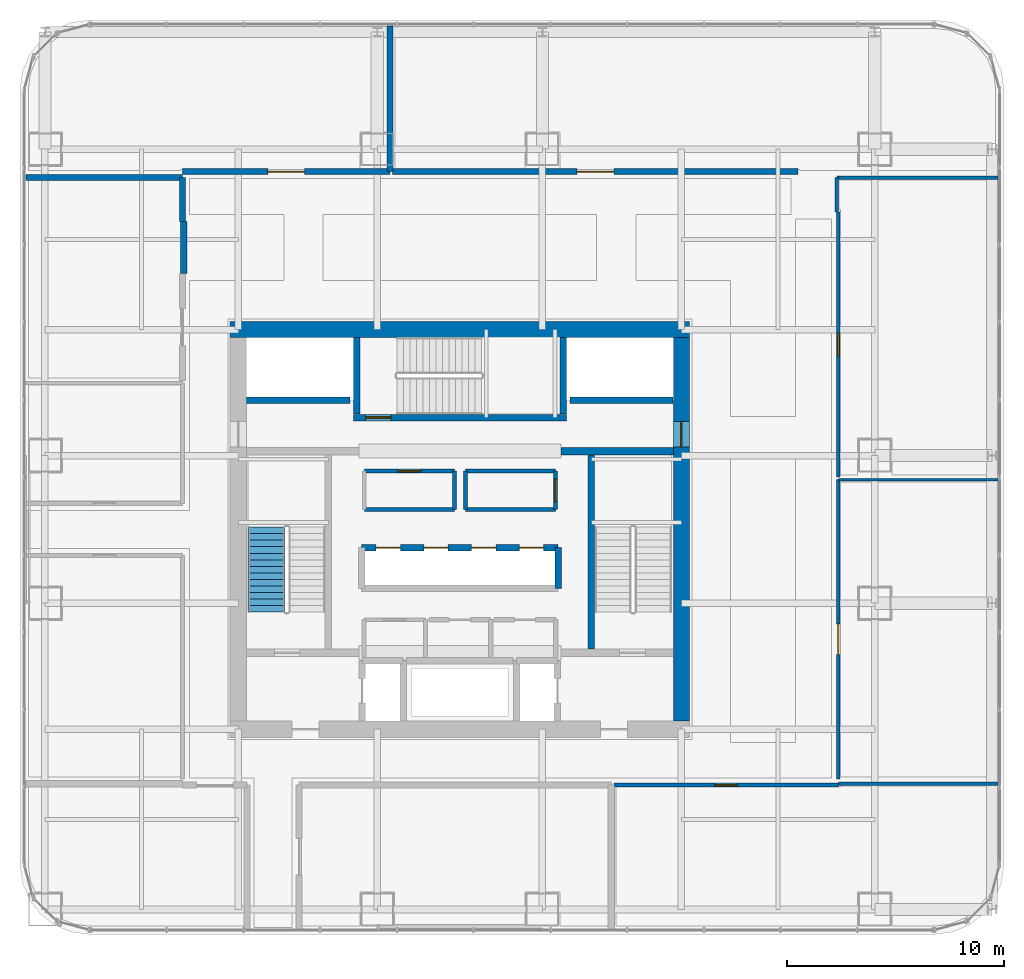
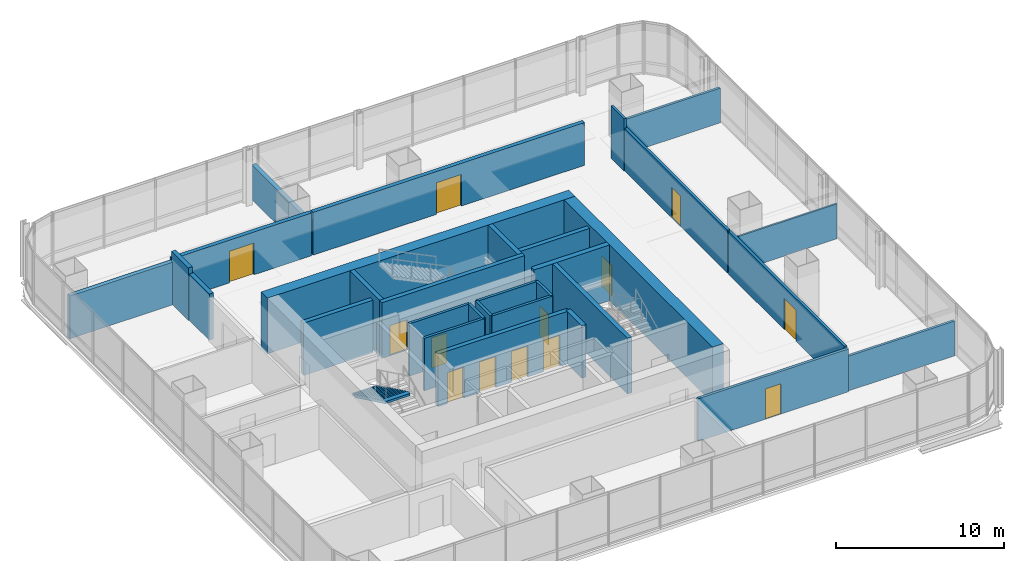
# One storey, part 28 of 34: 31 walls, 13 doors, 1 stair flight, 13 openings, 1 element without a shape of its own.
"""IFC4 building model written with IfcOpenShell, lengths in metres."""

from ifc_helpers import new_model, si_unit, direction, frame, frame_2d, origin, place, context, subcontext, project, spatial, polyline, rectangle, outline, extrude, material, layer, layer_set, type_object, element, fill, aggregate, save


model = new_model("IFC4")

# Units and contexts
model_context = context("Model", 3, precision=1e-05, world=origin(), true_north=direction((0.0, 1.0)))
body_context = subcontext(model_context, "Body", "Model", "MODEL_VIEW")
ifc_project = project(units=[si_unit("LENGTHUNIT", "METRE"), si_unit("AREAUNIT", "SQUARE_METRE"), si_unit("VOLUMEUNIT", "CUBIC_METRE"), si_unit("PLANEANGLEUNIT", "RADIAN"), si_unit("MASSUNIT", "GRAM", prefix="KILO")], contexts=[model_context])

# Site, building, storey
site_placement = place(None, origin())
site = spatial("IfcSite", under=ifc_project, at=site_placement, CompositionType="ELEMENT")
building_placement = place(site_placement, origin())
building = spatial("IfcBuilding", under=site, at=building_placement, Name="Punatoya Terracotta Tower", CompositionType="ELEMENT")
storey_placement = place(building_placement, frame((0.0, 0.0, 97.050048828125)))
storey = spatial("IfcBuildingStorey", under=building, at=storey_placement, Name="L22", CompositionType="ELEMENT", Elevation=97.050048828125)

# Walls
ifc_material_1 = material(Name="Concrete C40/50", Category="concrete")
ifc_layer_1 = layer(ifc_material_1, 0.280029296875)
ifc_layer_set_1 = layer_set([ifc_layer_1], Name="Concrete C40/50")
wall_type_1 = type_object("IfcWallType", Name="WL-AUD-280", PredefinedType="SOLIDWALL", material=ifc_layer_set_1)
wall_1_placement = place(storey_placement, frame((-12.7099609375, 14.179931640625, 0.0), z_axis=(0.0, 0.0, 1.0), x_axis=(0.0, -1.0, 0.0)))
element("IfcWall", 1, at=wall_1_placement, inside=storey, type_object=wall_type_1, Name="L22 Waterfront Club Lounge Partition 34", PredefinedType="SOLIDWALL", context=body_context, shape_type="SweptSolid", body=[
    extrude(rectangle(XDim=2.409912109375, YDim=0.280029296875, at=frame_2d((1.205078125, 0.0))), origin(), (0.0, 0.0, 1.0), 3.35400390625),
])
wall_2_placement = place(storey_placement, frame((-19.969970703125, 16.18994140625, 0.0), z_axis=(0.0, 0.0, 1.0), x_axis=(1.0, 0.0, 0.0)))
element("IfcWall", 2, at=wall_2_placement, inside=storey, type_object=wall_type_1, Name="L22 Waterfront Club Lounge Partition 36", PredefinedType="SOLIDWALL", context=body_context, shape_type="SweptSolid", body=[
    extrude(rectangle(XDim=7.199951171875, YDim=0.280029296875, at=frame_2d((3.60009765625, 0.0))), origin(), (0.0, 0.0, 1.0), 3.10400390625),
])
wall_3_placement = place(storey_placement, frame((-12.77001953125, 16.18994140625, 0.0), z_axis=(0.0, 0.0, 1.0), x_axis=(0.0, -1.0, 0.0)))
element("IfcWall", 3, at=wall_3_placement, inside=storey, type_object=wall_type_1, Name="L22 Waterfront Club Lounge Partition 37", PredefinedType="SOLIDWALL", context=body_context, shape_type="SweptSolid", body=[
    extrude(rectangle(XDim=2.010009765625, YDim=0.280029296875, at=frame_2d((1.0048828125, 0.0))), origin(), (0.0, 0.0, 1.0), 3.81005859375),
])
wall_4_placement = place(storey_placement, frame((-3.216064453125, 23.169921875, 0.0), z_axis=(0.0, 0.0, 1.0), x_axis=(0.0, -1.0, 0.0)))
element("IfcWall", 4, at=wall_4_placement, inside=storey, type_object=wall_type_1, Name="L22 Open-Plan Terrace Refreshment Lounge Partition 38", PredefinedType="SOLIDWALL", context=body_context, shape_type="SweptSolid", body=[
    extrude(rectangle(XDim=6.699951171875, YDim=0.280029296875, at=frame_2d((3.35009765625, 0.0))), origin(), (0.0, 0.0, 1.0), 2.52392578125),
])

# Wall, opening, door
wall_5_placement = place(storey_placement, frame((-3.216064453125, 16.469970703125, 0.0), z_axis=(0.0, 0.0, 1.0), x_axis=(-1.0, 0.0, 0.0)))
wall_5 = element("IfcWall", 5, at=wall_5_placement, inside=storey, type_object=wall_type_1, Name="L22 Open-Plan Terrace Refreshment Lounge Partition 39", PredefinedType="SOLIDWALL", context=body_context, shape_type="SweptSolid", body=[
    extrude(rectangle(XDim=9.553955078125, YDim=0.280029296875, at=frame_2d((4.77685546875, 0.0))), origin(), (0.0, 0.0, 1.0), 3.10400390625),
])
opening_1_placement = place(wall_5_placement, frame((3.927001953125, 0.0, 0.0)))
opening_1 = element("IfcOpeningElement", 6, at=opening_1_placement, cuts=wall_5, Name="Opening FD-D1", PredefinedType="OPENING", context=body_context, shape_type="SweptSolid", body=[
    extrude(rectangle(XDim=1.699951171875, YDim=2.300048828125, at=frame_2d((0.85009765625, 1.14990234375))), frame((0.0, 0.14990234375, 0.0), z_axis=(0.0, -1.0, 0.0), x_axis=(1.0, 0.0, 0.0)), (0.0, 0.0, 1.0), 0.300048828125),
])
ifc_material_2 = material(Name="Timber Teak Veneer Fire Leaf", Category="wood")
door_type_1 = type_object("IfcDoorType", Name="DR-DIN-1700", OperationType="NOTDEFINED", PredefinedType="DOOR", material=ifc_material_2)
door_1_placement = place(opening_1_placement, origin())
door_1 = element("IfcDoor", 7, at=door_1_placement, inside=storey, type_object=door_type_1, Name="L22 Open-Plan Terrace Refreshment Lounge Fire Door", OperationType="DOUBLE_DOOR_SINGLE_SWING", OverallHeight=2.300048828125, OverallWidth=1.699951171875, PredefinedType="DOOR", context=body_context, shape_type="SweptSolid", body=[
    extrude(rectangle(XDim=1.699951171875, YDim=2.300048828125, at=frame_2d((0.85009765625, 1.14990234375))), frame((0.0, 0.02490234375, 0.0), z_axis=(0.0, -1.0, 0.0), x_axis=(1.0, 0.0, 0.0)), (0.0, 0.0, 1.0), 0.050048828125),
])
fill(opening_1, door_1)

wall_6_placement = place(storey_placement, frame((15.570068359375, 16.469970703125, 0.0), z_axis=(0.0, 0.0, 1.0), x_axis=(-1.0, 0.0, 0.0)))
wall_6 = element("IfcWall", 8, at=wall_6_placement, inside=storey, type_object=wall_type_1, Name="L22 Hospitality Hosting Lounge Partition 40", PredefinedType="SOLIDWALL", context=body_context, shape_type="SweptSolid", body=[
    extrude(rectangle(XDim=18.666015625, YDim=0.280029296875, at=frame_2d((9.3330078125, 0.0))), origin(), (0.0, 0.0, 1.0), 3.10400390625),
])
opening_2_placement = place(wall_6_placement, frame((8.48291015625, 0.0, 0.0)))
opening_2 = element("IfcOpeningElement", 9, at=opening_2_placement, cuts=wall_6, Name="Opening FD-D1", PredefinedType="OPENING", context=body_context, shape_type="SweptSolid", body=[
    extrude(rectangle(XDim=1.699951171875, YDim=2.300048828125, at=frame_2d((0.85009765625, 1.14990234375))), frame((0.0, 0.14990234375, 0.0), z_axis=(0.0, -1.0, 0.0), x_axis=(1.0, 0.0, 0.0)), (0.0, 0.0, 1.0), 0.300048828125),
])
door_2_placement = place(opening_2_placement, origin())
door_2 = element("IfcDoor", 10, at=door_2_placement, inside=storey, type_object=door_type_1, Name="L22 Hospitality Hosting Lounge Fire Door", OperationType="DOUBLE_DOOR_SINGLE_SWING", OverallHeight=2.300048828125, OverallWidth=1.699951171875, PredefinedType="DOOR", context=body_context, shape_type="SweptSolid", body=[
    extrude(rectangle(XDim=1.699951171875, YDim=2.300048828125, at=frame_2d((0.85009765625, 1.14990234375))), frame((0.0, 0.02490234375, 0.0), z_axis=(0.0, -1.0, 0.0), x_axis=(1.0, 0.0, 0.0)), (0.0, 0.0, 1.0), 0.050048828125),
])
fill(opening_2, door_2)

# Wall
ifc_material_3 = material(Name="Concrete C60/75", Category="concrete")
ifc_layer_2 = layer(ifc_material_3, 0.75)
ifc_layer_set_2 = layer_set([ifc_layer_2], Name="Concrete C60/75")
wall_type_2 = type_object("IfcWallType", Name="WL-COR-750", PredefinedType="SHEAR", material=ifc_layer_set_2)
wall_7_placement = place(storey_placement, frame((-10.574951171875, 9.199951171875, 0.0), z_axis=(0.0, 0.0, 1.0), x_axis=(1.0, 0.0, 0.0)))
element("IfcWall", 11, at=wall_7_placement, inside=storey, type_object=wall_type_2, Name="L22 Core Shear Wall N", PredefinedType="SHEAR", context=body_context, shape_type="SweptSolid", body=[
    extrude(rectangle(XDim=21.14990234375, YDim=0.75, at=frame_2d((10.574951171875, 0.0))), origin(), (0.0, 0.0, 1.0), 4.050048828125),
])

# Wall, opening, door
wall_8_placement = place(storey_placement, frame((10.199951171875, 8.824951171875, 0.0), z_axis=(0.0, 0.0, 1.0), x_axis=(0.0, -1.0, 0.0)))
wall_8 = element("IfcWall", 12, at=wall_8_placement, inside=storey, type_object=wall_type_2, Name="L22 Core Shear Wall E", PredefinedType="SHEAR", context=body_context, shape_type="SweptSolid", body=[
    extrude(rectangle(XDim=17.64990234375, YDim=0.75, at=frame_2d((8.824951171875, 0.0))), origin(), (0.0, 0.0, 1.0), 4.050048828125),
])
opening_3_placement = place(wall_8_placement, frame((3.85498046875, 0.0, 0.0)))
opening_3 = element("IfcOpeningElement", 13, at=opening_3_placement, cuts=wall_8, Name="Opening SD-01", PredefinedType="OPENING", context=body_context, shape_type="SweptSolid", body=[
    extrude(rectangle(XDim=1.179931640625, YDim=2.199951171875, at=frame_2d((0.58984375, 1.10009765625))), frame((0.0, 0.385009765625, 0.0), z_axis=(0.0, -1.0, 0.0), x_axis=(1.0, 0.0, 0.0)), (0.0, 0.0, 1.0), 0.77001953125),
])
ifc_material_4 = material(Name="Galvanised Steel Pressurized Stair Fire Door", Category="steel")
door_type_2 = type_object("IfcDoorType", Name="DR-STR-1180", OperationType="NOTDEFINED", PredefinedType="DOOR", material=ifc_material_4)
door_3_placement = place(opening_3_placement, origin())
door_3 = element("IfcDoor", 14, at=door_3_placement, inside=storey, type_object=door_type_2, Name="L22 Central Lift Lobby East Fire Door", OperationType="SINGLE_SWING_RIGHT", OverallHeight=2.199951171875, OverallWidth=1.179931640625, PredefinedType="DOOR", context=body_context, shape_type="SweptSolid", body=[
    extrude(rectangle(XDim=1.179931640625, YDim=2.199951171875, at=frame_2d((0.58984375, 1.10009765625))), frame((0.0, 0.02490234375, 0.0), z_axis=(0.0, -1.0, 0.0), x_axis=(1.0, 0.0, 0.0)), (0.0, 0.0, 1.0), 0.050048828125),
])
fill(opening_3, door_3)

# Wall
ifc_material_5 = material(Name="Gypsum Fireboard + Steel Stud", Category="steel")
ifc_layer_3 = layer(ifc_material_5, 0.179931640625)
ifc_layer_set_3 = layer_set([ifc_layer_3], Name="Gypsum Fireboard + Steel Stud")
wall_type_3 = type_object("IfcWallType", Name="WL-CORR-180", PredefinedType="PARTITIONING", material=ifc_layer_set_3)
wall_9_placement = place(storey_placement, frame((-0.25, 0.919921875, 0.0), z_axis=(0.0, 0.0, 1.0), x_axis=(0.0, 1.0, 0.0)))
element("IfcWall", 15, at=wall_9_placement, inside=storey, type_object=wall_type_3, Name="L22 West Core Focus Pod Partition 08", PredefinedType="PARTITIONING", context=body_context, shape_type="SweptSolid", body=[
    extrude(rectangle(XDim=1.760009765625, YDim=0.179931640625, at=frame_2d((0.8798828125, 0.0))), origin(), (0.0, 0.0, 1.0), 3.81005859375),
])

# Wall, opening, door
wall_10_placement = place(storey_placement, frame((-0.25, 2.679931640625, 0.0), z_axis=(0.0, 0.0, 1.0), x_axis=(-1.0, 0.0, 0.0)))
wall_10 = element("IfcWall", 16, at=wall_10_placement, inside=storey, type_object=wall_type_3, Name="L22 West Core Focus Pod Partition 09", PredefinedType="PARTITIONING", context=body_context, shape_type="SweptSolid", body=[
    extrude(rectangle(XDim=4.14990234375, YDim=0.179931640625, at=frame_2d((2.074951171875, 0.0))), origin(), (0.0, 0.0, 1.0), 3.81005859375),
])
opening_4_placement = place(wall_10_placement, frame((1.550048828125, 0.0, 0.0)))
opening_4 = element("IfcOpeningElement", 17, at=opening_4_placement, cuts=wall_10, Name="Opening OD-01", PredefinedType="OPENING", context=body_context, shape_type="SweptSolid", body=[
    extrude(rectangle(XDim=1.050048828125, YDim=2.199951171875, at=frame_2d((0.52490234375, 1.10009765625))), frame((0.0, 0.099853515625, 0.0), z_axis=(0.0, -1.0, 0.0), x_axis=(1.0, 0.0, 0.0)), (0.0, 0.0, 1.0), 0.199951171875),
])
ifc_material_6 = material(Name="Bengal Teak Solid-Core Leaf")
door_type_3 = type_object("IfcDoorType", Name="DR-OFF-1050", OperationType="NOTDEFINED", PredefinedType="DOOR", material=ifc_material_6)
door_4_placement = place(opening_4_placement, origin())
door_4 = element("IfcDoor", 18, at=door_4_placement, inside=storey, type_object=door_type_3, Name="L22 West Focus Pod Door", OperationType="SINGLE_SWING_LEFT", OverallHeight=2.199951171875, OverallWidth=1.050048828125, PredefinedType="DOOR", context=body_context, shape_type="SweptSolid", body=[
    extrude(rectangle(XDim=1.050048828125, YDim=2.199951171875, at=frame_2d((0.52490234375, 1.10009765625))), frame((0.0, 0.02490234375, 0.0), z_axis=(0.0, -1.0, 0.0), x_axis=(1.0, 0.0, 0.0)), (0.0, 0.0, 1.0), 0.050048828125),
])
fill(opening_4, door_4)

# Wall
wall_11_placement = place(storey_placement, frame((-4.39990234375, 0.919921875, 0.0), z_axis=(0.0, 0.0, 1.0), x_axis=(1.0, 0.0, 0.0)))
element("IfcWall", 19, at=wall_11_placement, inside=storey, type_object=wall_type_3, Name="L22 West Core Focus Pod Partition 11", PredefinedType="PARTITIONING", context=body_context, shape_type="SweptSolid", body=[
    extrude(rectangle(XDim=4.14990234375, YDim=0.179931640625, at=frame_2d((2.074951171875, 0.0))), origin(), (0.0, 0.0, 1.0), 3.81005859375),
])

# Wall, opening, door
wall_12_placement = place(storey_placement, frame((4.39990234375, 0.919921875, 0.0), z_axis=(0.0, 0.0, 1.0), x_axis=(0.0, 1.0, 0.0)))
wall_12 = element("IfcWall", 20, at=wall_12_placement, inside=storey, type_object=wall_type_3, Name="L22 East Core Wellness Room Partition 12", PredefinedType="PARTITIONING", context=body_context, shape_type="SweptSolid", body=[
    extrude(rectangle(XDim=1.760009765625, YDim=0.179931640625, at=frame_2d((0.8798828125, 0.0))), origin(), (0.0, 0.0, 1.0), 3.81005859375),
])
opening_5_placement = place(wall_12_placement, frame((0.35498046875, 0.0, 0.0)))
opening_5 = element("IfcOpeningElement", 21, at=opening_5_placement, cuts=wall_12, Name="Opening OD-01", PredefinedType="OPENING", context=body_context, shape_type="SweptSolid", body=[
    extrude(rectangle(XDim=1.050048828125, YDim=2.199951171875, at=frame_2d((0.52490234375, 1.10009765625))), frame((0.0, 0.099853515625, 0.0), z_axis=(0.0, -1.0, 0.0), x_axis=(1.0, 0.0, 0.0)), (0.0, 0.0, 1.0), 0.199951171875),
])
door_5_placement = place(opening_5_placement, origin())
door_5 = element("IfcDoor", 22, at=door_5_placement, inside=storey, type_object=door_type_3, Name="L22 East Wellness Room Door", OperationType="SINGLE_SWING_RIGHT", OverallHeight=2.199951171875, OverallWidth=1.050048828125, PredefinedType="DOOR", context=body_context, shape_type="SweptSolid", body=[
    extrude(rectangle(XDim=1.050048828125, YDim=2.199951171875, at=frame_2d((0.52490234375, 1.10009765625))), frame((0.0, 0.02490234375, 0.0), z_axis=(0.0, -1.0, 0.0), x_axis=(1.0, 0.0, 0.0)), (0.0, 0.0, 1.0), 0.050048828125),
])
fill(opening_5, door_5)

# Walls
wall_13_placement = place(storey_placement, frame((4.39990234375, 2.679931640625, 0.0), z_axis=(0.0, 0.0, 1.0), x_axis=(-1.0, 0.0, 0.0)))
element("IfcWall", 23, at=wall_13_placement, inside=storey, type_object=wall_type_3, Name="L22 East Core Wellness Room Partition 13", PredefinedType="PARTITIONING", context=body_context, shape_type="SweptSolid", body=[
    extrude(rectangle(XDim=4.14990234375, YDim=0.179931640625, at=frame_2d((2.074951171875, 0.0))), origin(), (0.0, 0.0, 1.0), 3.81005859375),
])
wall_14_placement = place(storey_placement, frame((0.25, 2.679931640625, 0.0), z_axis=(0.0, 0.0, 1.0), x_axis=(0.0, -1.0, 0.0)))
element("IfcWall", 24, at=wall_14_placement, inside=storey, type_object=wall_type_3, Name="L22 East Core Wellness Room Partition 14", PredefinedType="PARTITIONING", context=body_context, shape_type="SweptSolid", body=[
    extrude(rectangle(XDim=1.760009765625, YDim=0.179931640625, at=frame_2d((0.8798828125, 0.0))), origin(), (0.0, 0.0, 1.0), 3.81005859375),
])
wall_15_placement = place(storey_placement, frame((0.25, 0.919921875, 0.0), z_axis=(0.0, 0.0, 1.0), x_axis=(1.0, 0.0, 0.0)))
element("IfcWall", 25, at=wall_15_placement, inside=storey, type_object=wall_type_3, Name="L22 East Core Wellness Room Partition 15", PredefinedType="PARTITIONING", context=body_context, shape_type="SweptSolid", body=[
    extrude(rectangle(XDim=4.14990234375, YDim=0.179931640625, at=frame_2d((2.074951171875, 0.0))), origin(), (0.0, 0.0, 1.0), 3.81005859375),
])

# Wall, opening, door
wall_16_placement = place(storey_placement, frame((7.090087890625, -11.77001953125, 0.0), z_axis=(0.0, 0.0, 1.0), x_axis=(1.0, 0.0, 0.0)))
wall_16 = element("IfcWall", 26, at=wall_16_placement, inside=storey, type_object=wall_type_3, Name="L22 Open-Plan Catering Tea Pantry Partition 22", PredefinedType="PARTITIONING", context=body_context, shape_type="SweptSolid", body=[
    extrude(rectangle(XDim=10.329833984375, YDim=0.179931640625, at=frame_2d((5.1650390625, 0.0))), origin(), (0.0, 0.0, 1.0), 3.10400390625),
])
opening_6_placement = place(wall_16_placement, frame((4.639892578125, 0.0, 0.0)))
opening_6 = element("IfcOpeningElement", 27, at=opening_6_placement, cuts=wall_16, Name="Opening OD-01", PredefinedType="OPENING", context=body_context, shape_type="SweptSolid", body=[
    extrude(rectangle(XDim=1.050048828125, YDim=2.199951171875, at=frame_2d((0.52490234375, 1.10009765625))), frame((0.0, 0.099853515625, 0.0), z_axis=(0.0, -1.0, 0.0), x_axis=(1.0, 0.0, 0.0)), (0.0, 0.0, 1.0), 0.199951171875),
])
door_6_placement = place(opening_6_placement, origin())
door_6 = element("IfcDoor", 28, at=door_6_placement, inside=storey, type_object=door_type_3, Name="L22 Open-Plan Catering Tea Pantry Door", OperationType="SINGLE_SWING_LEFT", OverallHeight=2.199951171875, OverallWidth=1.050048828125, PredefinedType="DOOR", context=body_context, shape_type="SweptSolid", body=[
    extrude(rectangle(XDim=1.050048828125, YDim=2.199951171875, at=frame_2d((0.52490234375, 1.10009765625))), frame((0.0, 0.02490234375, 0.0), z_axis=(0.0, -1.0, 0.0), x_axis=(1.0, 0.0, 0.0)), (0.0, 0.0, 1.0), 0.050048828125),
])
fill(opening_6, door_6)

wall_17_placement = place(storey_placement, frame((17.419921875, -11.489990234375, 0.0), z_axis=(0.0, 0.0, 1.0), x_axis=(0.0, 1.0, 0.0)))
wall_17 = element("IfcWall", 29, at=wall_17_placement, inside=storey, type_object=wall_type_3, Name="L22 Open-Plan Private Dining Boardroom Partition 26", PredefinedType="PARTITIONING", context=body_context, shape_type="SweptSolid", body=[
    extrude(rectangle(XDim=13.780029296875, YDim=0.179931640625, at=frame_2d((6.89013671875, 0.0))), origin(), (0.0, 0.0, 1.0), 3.10400390625),
])
opening_7_placement = place(wall_17_placement, frame((5.739990234375, 0.0, 0.0)))
opening_7 = element("IfcOpeningElement", 30, at=opening_7_placement, cuts=wall_17, Name="Opening BD-01", PredefinedType="OPENING", context=body_context, shape_type="SweptSolid", body=[
    extrude(rectangle(XDim=1.39990234375, YDim=2.25, at=frame_2d((0.699951171875, 1.125))), frame((0.0, 0.099853515625, 0.0), z_axis=(0.0, -1.0, 0.0), x_axis=(1.0, 0.0, 0.0)), (0.0, 0.0, 1.0), 0.199951171875),
])
ifc_material_7 = material(Name="Bengal Teak Acoustic Leaf")
door_type_4 = type_object("IfcDoorType", Name="DR-BRD-1400", OperationType="NOTDEFINED", PredefinedType="DOOR", material=ifc_material_7)
door_7_placement = place(opening_7_placement, origin())
door_7 = element("IfcDoor", 31, at=door_7_placement, inside=storey, type_object=door_type_4, Name="L22 Open-Plan Private Dining Boardroom Door", OperationType="SINGLE_SWING_LEFT", OverallHeight=2.25, OverallWidth=1.39990234375, PredefinedType="DOOR", context=body_context, shape_type="SweptSolid", body=[
    extrude(rectangle(XDim=1.39990234375, YDim=2.25, at=frame_2d((0.699951171875, 1.125))), frame((0.0, 0.02490234375, 0.0), z_axis=(0.0, -1.0, 0.0), x_axis=(1.0, 0.0, 0.0)), (0.0, 0.0, 1.0), 0.050048828125),
])
fill(opening_7, door_7)

wall_18_placement = place(storey_placement, frame((17.419921875, 2.409912109375, 0.0), z_axis=(0.0, 0.0, 1.0), x_axis=(0.0, 1.0, 0.0)))
wall_18 = element("IfcWall", 32, at=wall_18_placement, inside=storey, type_object=wall_type_3, Name="L22 Open-Plan Barista Espresso Pantry Partition 31", PredefinedType="PARTITIONING", context=body_context, shape_type="SweptSolid", body=[
    extrude(rectangle(XDim=12.210205078125, YDim=0.179931640625, at=frame_2d((6.10498046875, 0.0))), origin(), (0.0, 0.0, 1.0), 3.10400390625),
])
opening_8_placement = place(wall_18_placement, frame((5.580078125, 0.0, 0.0)))
opening_8 = element("IfcOpeningElement", 33, at=opening_8_placement, cuts=wall_18, Name="Opening OD-01", PredefinedType="OPENING", context=body_context, shape_type="SweptSolid", body=[
    extrude(rectangle(XDim=1.050048828125, YDim=2.199951171875, at=frame_2d((0.52490234375, 1.10009765625))), frame((0.0, 0.099853515625, 0.0), z_axis=(0.0, -1.0, 0.0), x_axis=(1.0, 0.0, 0.0)), (0.0, 0.0, 1.0), 0.199951171875),
])
door_8_placement = place(opening_8_placement, origin())
door_8 = element("IfcDoor", 34, at=door_8_placement, inside=storey, type_object=door_type_3, Name="L22 Open-Plan Barista Espresso Pantry Door", OperationType="SINGLE_SWING_LEFT", OverallHeight=2.199951171875, OverallWidth=1.050048828125, PredefinedType="DOOR", context=body_context, shape_type="SweptSolid", body=[
    extrude(rectangle(XDim=1.050048828125, YDim=2.199951171875, at=frame_2d((0.52490234375, 1.10009765625))), frame((0.0, 0.02490234375, 0.0), z_axis=(0.0, -1.0, 0.0), x_axis=(1.0, 0.0, 0.0)), (0.0, 0.0, 1.0), 0.050048828125),
])
fill(opening_8, door_8)

# Walls
ifc_material_8 = material(Name="Gypsum Partition + Steel Stud", Category="steel")
ifc_layer_4 = layer(ifc_material_8, 0.1201171875)
ifc_layer_set_4 = layer_set([ifc_layer_4], Name="Gypsum Partition + Steel Stud")
wall_type_4 = type_object("IfcWallType", Name="WL-OFF-120", PredefinedType="PARTITIONING", material=ifc_layer_set_4)
wall_19_placement = place(storey_placement, frame((17.419921875, 2.2900390625, 0.0), z_axis=(0.0, 0.0, 1.0), x_axis=(1.0, 0.0, 0.0)))
element("IfcWall", 35, at=wall_19_placement, inside=storey, type_object=wall_type_4, Name="L22 Open-Plan Private Dining Boardroom Partition 27", PredefinedType="PARTITIONING", context=body_context, shape_type="SweptSolid", body=[
    extrude(rectangle(XDim=7.35009765625, YDim=0.1201171875, at=frame_2d((3.675048828125, 0.0))), origin(), (0.0, 0.0, 1.0), 2.52392578125),
])
ifc_layer_5 = layer(ifc_material_1, 0.300048828125)
ifc_layer_set_5 = layer_set([ifc_layer_5], Name="Concrete C40/50")
wall_type_5 = type_object("IfcWallType", Name="WL-SHF-300", PredefinedType="SOLIDWALL", material=ifc_layer_set_5)
wall_20_placement = place(storey_placement, frame((6.050048828125, 3.449951171875, 0.0), z_axis=(0.0, 0.0, 1.0), x_axis=(0.0, -1.0, 0.0)))
element("IfcWall", 36, at=wall_20_placement, inside=storey, type_object=wall_type_5, Name="L22 Structural Stair Shaft Wall SW-ST2-W", PredefinedType="SOLIDWALL", context=body_context, shape_type="SweptSolid", body=[
    extrude(rectangle(XDim=8.949951171875, YDim=0.300048828125, at=frame_2d((4.47509765625, 0.0))), origin(), (0.0, 0.0, 1.0), 4.050048828125),
])
for number, where, z_axis, x_axis, name in (
    (37, (-4.75, 5.300048828125, 0.0), (0.0, 0.0, 1.0), (0.0, 1.0, 0.0), "L22 Structural Stair Shaft Wall SW-ST3-W"),
    (38, (4.75, 8.824951171875, 0.0), (0.0, 0.0, 1.0), (0.0, -1.0, 0.0), "L22 Structural Stair Shaft Wall SW-ST3-E"),
):
    element("IfcWall", number, at=place(storey_placement, frame(where, z_axis=z_axis, x_axis=x_axis)), inside=storey, type_object=wall_type_5, Name=name, PredefinedType="SOLIDWALL", context=body_context, shape_type="SweptSolid", body=[
        extrude(rectangle(XDim=3.52490234375, YDim=0.300048828125, at=frame_2d((1.762451171875, 0.0))), origin(), (0.0, 0.0, 1.0), 4.050048828125),
    ])

# Wall, opening, door
wall_21_placement = place(storey_placement, frame((-4.89990234375, 5.14990234375, 0.0), z_axis=(0.0, 0.0, 1.0), x_axis=(1.0, 0.0, 0.0)))
wall_21 = element("IfcWall", 39, at=wall_21_placement, inside=storey, type_object=wall_type_5, Name="L22 Structural Stair Shaft Wall SW-ST3-S", PredefinedType="SOLIDWALL", context=body_context, shape_type="SweptSolid", body=[
    extrude(rectangle(XDim=9.7998046875, YDim=0.300048828125, at=frame_2d((4.89990234375, 0.0))), origin(), (0.0, 0.0, 1.0), 4.050048828125),
])
opening_9_placement = place(wall_21_placement, frame((0.56005859375, 0.0, 0.0)))
opening_9 = element("IfcOpeningElement", 40, at=opening_9_placement, cuts=wall_21, Name="Opening SD-01", PredefinedType="OPENING", context=body_context, shape_type="SweptSolid", body=[
    extrude(rectangle(XDim=1.179931640625, YDim=2.199951171875, at=frame_2d((0.58984375, 1.10009765625))), frame((0.0, 0.159912109375, 0.0), z_axis=(0.0, -1.0, 0.0), x_axis=(1.0, 0.0, 0.0)), (0.0, 0.0, 1.0), 0.320068359375),
])
door_9_placement = place(opening_9_placement, origin())
door_9 = element("IfcDoor", 41, at=door_9_placement, inside=storey, type_object=door_type_2, Name="L22 Stair ST-3 Core Lobby Fire Door", OperationType="SINGLE_SWING_LEFT", OverallHeight=2.199951171875, OverallWidth=1.179931640625, PredefinedType="DOOR", context=body_context, shape_type="SweptSolid", body=[
    extrude(rectangle(XDim=1.179931640625, YDim=2.199951171875, at=frame_2d((0.58984375, 1.10009765625))), frame((0.0, 0.02490234375, 0.0), z_axis=(0.0, -1.0, 0.0), x_axis=(1.0, 0.0, 0.0)), (0.0, 0.0, 1.0), 0.050048828125),
])
fill(opening_9, door_9)

# Wall, openings, doors
wall_22_placement = place(storey_placement, frame((-4.52001953125, -0.840087890625, 0.0), z_axis=(0.0, 0.0, 1.0), x_axis=(1.0, 0.0, 0.0)))
wall_22 = element("IfcWall", 42, at=wall_22_placement, inside=storey, type_object=wall_type_5, Name="L22 South Lift Bank Front Shaft Wall", PredefinedType="SOLIDWALL", context=body_context, shape_type="SweptSolid", body=[
    extrude(rectangle(XDim=9.0400390625, YDim=0.300048828125, at=frame_2d((4.52001953125, 0.0))), origin(), (0.0, 0.0, 1.0), 3.81005859375),
])
opening_10_placement = place(wall_22_placement, frame((0.659912109375, 0.0, 0.0)))
opening_10 = element("IfcOpeningElement", 43, at=opening_10_placement, cuts=wall_22, Name="Opening LD-02", PredefinedType="OPENING", context=body_context, shape_type="SweptSolid", body=[
    extrude(rectangle(XDim=1.1201171875, YDim=2.25, at=frame_2d((0.56005859375, 1.125))), frame((0.0, 0.159912109375, 0.0), z_axis=(0.0, -1.0, 0.0), x_axis=(1.0, 0.0, 0.0)), (0.0, 0.0, 1.0), 0.320068359375),
])
opening_11_placement = place(wall_22_placement, frame((2.860107421875, 0.0, 0.0)))
opening_11 = element("IfcOpeningElement", 44, at=opening_11_placement, cuts=wall_22, Name="Opening LD-02", PredefinedType="OPENING", context=body_context, shape_type="SweptSolid", body=[
    extrude(rectangle(XDim=1.1201171875, YDim=2.25, at=frame_2d((0.56005859375, 1.125))), frame((0.0, 0.159912109375, 0.0), z_axis=(0.0, -1.0, 0.0), x_axis=(1.0, 0.0, 0.0)), (0.0, 0.0, 1.0), 0.320068359375),
])
opening_12_placement = place(wall_22_placement, frame((5.06005859375, 0.0, 0.0)))
opening_12 = element("IfcOpeningElement", 45, at=opening_12_placement, cuts=wall_22, Name="Opening LD-02", PredefinedType="OPENING", context=body_context, shape_type="SweptSolid", body=[
    extrude(rectangle(XDim=1.1201171875, YDim=2.25, at=frame_2d((0.56005859375, 1.125))), frame((0.0, 0.159912109375, 0.0), z_axis=(0.0, -1.0, 0.0), x_axis=(1.0, 0.0, 0.0)), (0.0, 0.0, 1.0), 0.320068359375),
])
opening_13_placement = place(wall_22_placement, frame((7.260009765625, 0.0, 0.0)))
opening_13 = element("IfcOpeningElement", 46, at=opening_13_placement, cuts=wall_22, Name="Opening LD-02", PredefinedType="OPENING", context=body_context, shape_type="SweptSolid", body=[
    extrude(rectangle(XDim=1.1201171875, YDim=2.25, at=frame_2d((0.56005859375, 1.125))), frame((0.0, 0.159912109375, 0.0), z_axis=(0.0, -1.0, 0.0), x_axis=(1.0, 0.0, 0.0)), (0.0, 0.0, 1.0), 0.320068359375),
])
ifc_material_9 = material(Name="Stainless Steel Lift Landing Door", Category="steel")
door_type_5 = type_object("IfcDoorType", Name="DR-LND-1120", OperationType="NOTDEFINED", PredefinedType="DOOR", material=ifc_material_9)
door_10_placement = place(opening_10_placement, origin())
door_10 = element("IfcDoor", 47, at=door_10_placement, inside=storey, type_object=door_type_5, Name="L22 Lift PL-L1 Sliding Landing Door", OperationType="DOUBLE_DOOR_SLIDING", OverallHeight=2.25, OverallWidth=1.1201171875, PredefinedType="DOOR", context=body_context, shape_type="SweptSolid", body=[
    extrude(rectangle(XDim=1.1201171875, YDim=2.25, at=frame_2d((0.56005859375, 1.125))), frame((0.0, 0.02490234375, 0.0), z_axis=(0.0, -1.0, 0.0), x_axis=(1.0, 0.0, 0.0)), (0.0, 0.0, 1.0), 0.050048828125),
])
fill(opening_10, door_10)
door_11_placement = place(opening_11_placement, origin())
door_11 = element("IfcDoor", 48, at=door_11_placement, inside=storey, type_object=door_type_5, Name="L22 Lift PL-L2 Sliding Landing Door", OperationType="DOUBLE_DOOR_SLIDING", OverallHeight=2.25, OverallWidth=1.1201171875, PredefinedType="DOOR", context=body_context, shape_type="SweptSolid", body=[
    extrude(rectangle(XDim=1.1201171875, YDim=2.25, at=frame_2d((0.56005859375, 1.125))), frame((0.0, 0.02490234375, 0.0), z_axis=(0.0, -1.0, 0.0), x_axis=(1.0, 0.0, 0.0)), (0.0, 0.0, 1.0), 0.050048828125),
])
fill(opening_11, door_11)
door_12_placement = place(opening_12_placement, origin())
door_12 = element("IfcDoor", 49, at=door_12_placement, inside=storey, type_object=door_type_5, Name="L22 Lift PL-L3 Sliding Landing Door", OperationType="DOUBLE_DOOR_SLIDING", OverallHeight=2.25, OverallWidth=1.1201171875, PredefinedType="DOOR", context=body_context, shape_type="SweptSolid", body=[
    extrude(rectangle(XDim=1.1201171875, YDim=2.25, at=frame_2d((0.56005859375, 1.125))), frame((0.0, 0.02490234375, 0.0), z_axis=(0.0, -1.0, 0.0), x_axis=(1.0, 0.0, 0.0)), (0.0, 0.0, 1.0), 0.050048828125),
])
fill(opening_12, door_12)
door_13_placement = place(opening_13_placement, origin())
door_13 = element("IfcDoor", 50, at=door_13_placement, inside=storey, type_object=door_type_5, Name="L22 Lift PL-L4 Sliding Landing Door", OperationType="DOUBLE_DOOR_SLIDING", OverallHeight=2.25, OverallWidth=1.1201171875, PredefinedType="DOOR", context=body_context, shape_type="SweptSolid", body=[
    extrude(rectangle(XDim=1.1201171875, YDim=2.25, at=frame_2d((0.56005859375, 1.125))), frame((0.0, 0.02490234375, 0.0), z_axis=(0.0, -1.0, 0.0), x_axis=(1.0, 0.0, 0.0)), (0.0, 0.0, 1.0), 0.050048828125),
])
fill(opening_13, door_13)

# Walls
wall_23_placement = place(storey_placement, frame((4.52001953125, -2.719970703125, 0.0), z_axis=(0.0, 0.0, 1.0), x_axis=(0.0, 1.0, 0.0)))
element("IfcWall", 51, at=wall_23_placement, inside=storey, type_object=wall_type_5, Name="L22 South Lift Bank East End Wall", PredefinedType="SOLIDWALL", context=body_context, shape_type="SweptSolid", body=[
    extrude(rectangle(XDim=1.8798828125, YDim=0.300048828125, at=frame_2d((0.93994140625, 0.0))), origin(), (0.0, 0.0, 1.0), 3.81005859375),
])
for number, where, z_axis, x_axis, name in (
    (52, (-9.820068359375, 5.949951171875, 0.0), (0.0, 0.0, 1.0), (1.0, 0.0, 0.0), "L22 Shuttle SL-1 South Hoistway Wall"),
    (53, (5.06005859375, 5.949951171875, 0.0), (0.0, 0.0, 1.0), (1.0, 0.0, 0.0), "L22 Shuttle SL-2 South Hoistway Wall"),
):
    element("IfcWall", number, at=place(storey_placement, frame(where, z_axis=z_axis, x_axis=x_axis)), inside=storey, type_object=wall_type_5, Name=name, PredefinedType="SOLIDWALL", context=body_context, shape_type="SweptSolid", body=[
        extrude(rectangle(XDim=4.760009765625, YDim=0.300048828125, at=frame_2d((2.3798828125, 0.0))), origin(), (0.0, 0.0, 1.0), 3.81005859375),
    ])
ifc_material_10 = material(Name="Concrete C50/60", Category="concrete")
ifc_layer_6 = layer(ifc_material_10, 0.35009765625)
ifc_layer_set_6 = layer_set([ifc_layer_6], Name="Concrete C50/60")
wall_type_6 = type_object("IfcWallType", Name="WL-SHF-350", PredefinedType="SOLIDWALL", material=ifc_layer_set_6)
wall_24_placement = place(storey_placement, frame((4.64990234375, 3.60009765625, 0.0), z_axis=(0.0, 0.0, 1.0), x_axis=(1.0, 0.0, 0.0)))
element("IfcWall", 54, at=wall_24_placement, inside=storey, type_object=wall_type_6, Name="L22 Core Web Wall CNW-R", PredefinedType="SOLIDWALL", context=body_context, shape_type="SweptSolid", body=[
    extrude(rectangle(XDim=5.175048828125, YDim=0.35009765625, at=frame_2d((2.58740234375, 0.0))), origin(), (0.0, 0.0, 1.0), 4.050048828125),
])
ifc_material_11 = material(Name="Masonry Blockwork + Ceramic Tile", Category="masonry")
ifc_layer_7 = layer(ifc_material_11, 0.159912109375)
ifc_layer_set_7 = layer_set([ifc_layer_7], Name="Masonry Blockwork + Ceramic Tile")
wall_type_7 = type_object("IfcWallType", Name="WL-WET-160", PredefinedType="PARTITIONING", material=ifc_layer_set_7)
wall_25_placement = place(storey_placement, frame((17.419921875, -11.7099609375, 0.0), z_axis=(0.0, 0.0, 1.0), x_axis=(1.0, 0.0, 0.0)))
element("IfcWall", 55, at=wall_25_placement, inside=storey, type_object=wall_type_7, Name="L22 Open-Plan Catering Tea Pantry Partition 23", PredefinedType="PARTITIONING", context=body_context, shape_type="SweptSolid", body=[
    extrude(rectangle(XDim=7.35009765625, YDim=0.159912109375, at=frame_2d((3.675048828125, 0.0))), origin(), (0.0, 0.0, 1.0), 2.52392578125),
])
wall_26_placement = place(storey_placement, frame((17.360107421875, 14.6201171875, 0.0), z_axis=(0.0, 0.0, 1.0), x_axis=(0.0, 1.0, 0.0)))
element("IfcWall", 56, at=wall_26_placement, inside=storey, type_object=wall_type_7, Name="L22 Open-Plan Barista Espresso Pantry Partition 32", PredefinedType="PARTITIONING", context=body_context, shape_type="SweptSolid", body=[
    extrude(rectangle(XDim=1.56982421875, YDim=0.159912109375, at=frame_2d((0.784912109375, 0.0))), origin(), (0.0, 0.0, 1.0), 3.81005859375),
])
wall_27_placement = place(storey_placement, frame((17.360107421875, 16.18994140625, 0.0), z_axis=(0.0, 0.0, 1.0), x_axis=(1.0, 0.0, 0.0)))
element("IfcWall", 57, at=wall_27_placement, inside=storey, type_object=wall_type_7, Name="L22 Open-Plan Barista Espresso Pantry Partition 33", PredefinedType="PARTITIONING", context=body_context, shape_type="SweptSolid", body=[
    extrude(rectangle(XDim=7.409912109375, YDim=0.159912109375, at=frame_2d((3.705078125, 0.0))), origin(), (0.0, 0.0, 1.0), 2.52392578125),
])

# Stair, stair flight
stair_type = type_object("IfcStairType", Name="STR-CORE-1550", PredefinedType="HALF_TURN_STAIR", material=ifc_material_1)
stair_placement = place(storey_placement, origin())
stair = element("IfcStair", 58, at=stair_placement, inside=storey, type_object=stair_type, Name="L22 Protected Core Exit Stair ST-1", PredefinedType="HALF_TURN_STAIR")
stair_flight_type = type_object("IfcStairFlightType", Name="SFL-CORE-1550", PredefinedType="STRAIGHT", material=ifc_material_1)
stair_flight_placement = place(storey_placement, frame((-8.89990234375, 0.10009765625, 2.02490234375), z_axis=(0.0, 0.0, 1.0), x_axis=(0.0, -1.0, 0.0)))
stair_flight = element("IfcStairFlight", 59, at=stair_flight_placement, type_object=stair_flight_type, Name="ST-1 flight 2", NumberOfRisers=14, NumberOfTreads=13, PredefinedType="STRAIGHT", RiserHeight=0.144642857, TreadLength=0.3, context=body_context, shape_type="SweptSolid", body=[
    extrude(outline(polyline([(0.0, 0.0), (0.0, 0.14453125), (0.300048828125, 0.14453125), (0.300048828125, 0.289306640625), (0.60009765625, 0.289306640625), (0.60009765625, 0.433837890625), (0.89990234375, 0.433837890625), (0.89990234375, 0.57861328125), (1.199951171875, 0.57861328125), (1.199951171875, 0.72314453125), (1.5, 0.72314453125), (1.5, 0.867919921875), (1.800048828125, 0.867919921875), (1.800048828125, 1.012451171875), (2.10009765625, 1.012451171875), (2.10009765625, 1.1572265625), (2.39990234375, 1.1572265625), (2.39990234375, 1.3017578125), (2.699951171875, 1.3017578125), (2.699951171875, 1.446533203125), (3.0, 1.446533203125), (3.0, 1.591064453125), (3.300048828125, 1.591064453125), (3.300048828125, 1.735595703125), (3.60009765625, 1.735595703125), (3.60009765625, 1.88037109375), (3.89990234375, 1.88037109375), (3.89990234375, 2.02490234375), (3.89990234375, 1.7138671875), (0.34521484375, 0.0), (0.0, 0.0)])), frame((0.0, 0.85009765625, 0.0), z_axis=(0.0, -1.0, 0.0), x_axis=(1.0, 0.0, 0.0)), (0.0, 0.0, 1.0), 1.699951171875),
])
aggregate(stair, [stair_flight])

save(model, "model.ifc")
